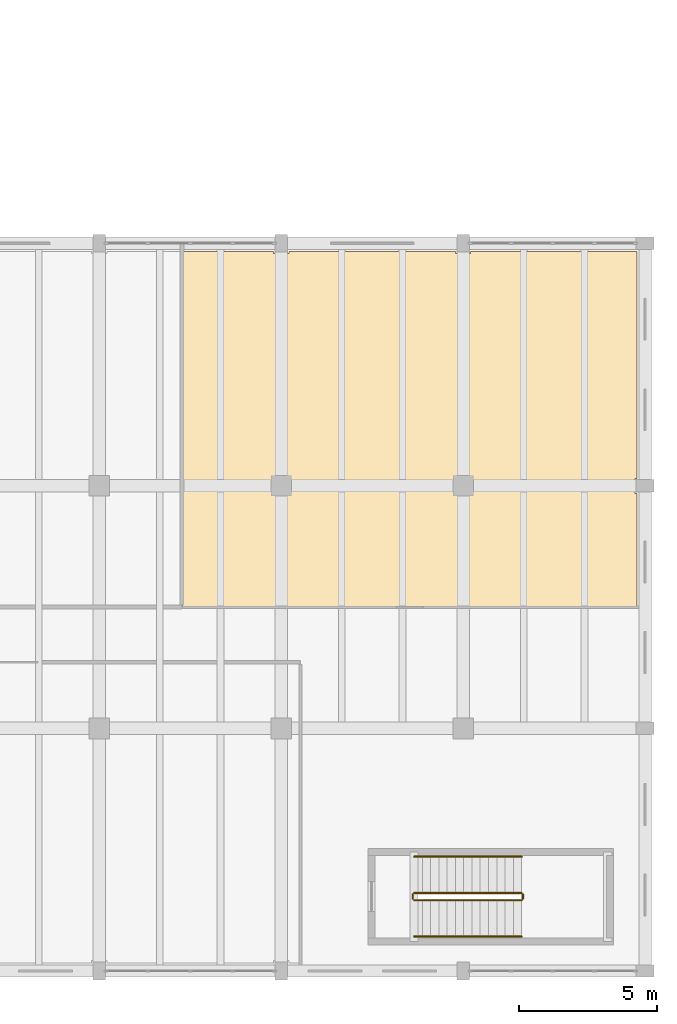
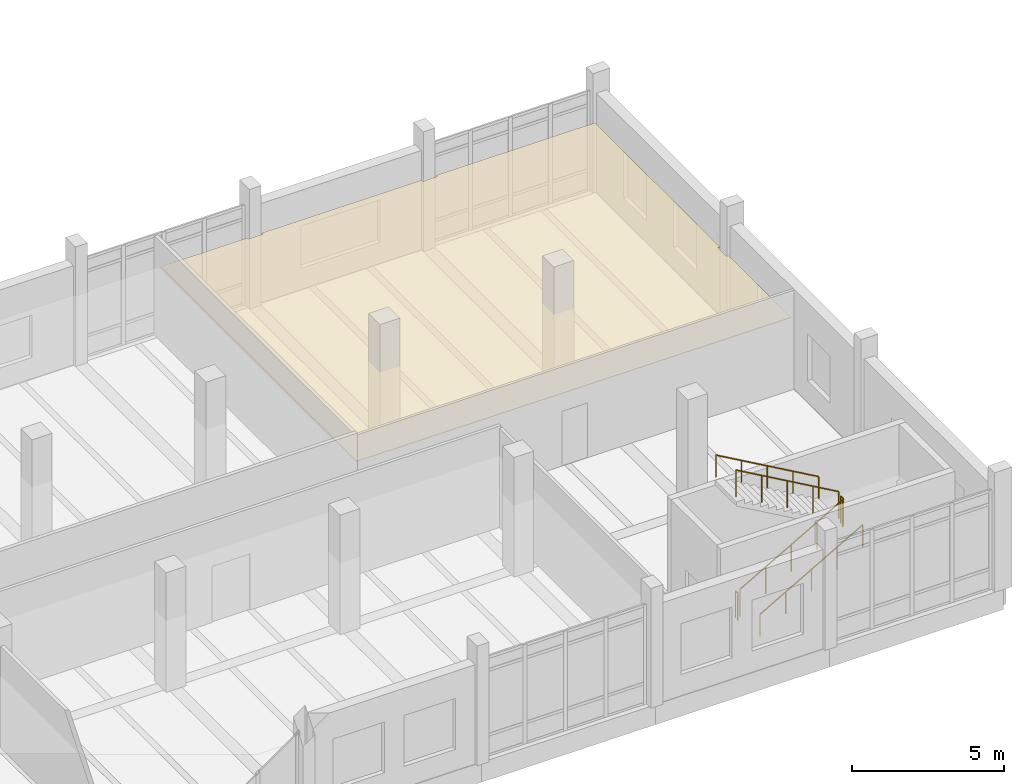
# One storey, part 115 of 125: 6 railings, 1 covering.
"""IFC4 building model written with IfcOpenShell, lengths in metres."""

from ifc_helpers import new_model, si_unit, direction, frame, origin, origin_2d, place, context, subcontext, project, spatial, polyline, circle, outline, extrude, material, layer, layer_set, type_object, element, save


model = new_model("IFC4")

# Units and contexts
model_context = context("Model", 3, precision=1e-05, world=origin(), true_north=direction((0.0, 1.0)))
body_context = subcontext(model_context, "Body", "Model", "MODEL_VIEW")
ifc_project = project(units=[si_unit("LENGTHUNIT", "METRE"), si_unit("AREAUNIT", "SQUARE_METRE"), si_unit("VOLUMEUNIT", "CUBIC_METRE"), si_unit("PLANEANGLEUNIT", "RADIAN"), si_unit("MASSUNIT", "GRAM", prefix="KILO")], contexts=[model_context])

# Site, building, storey
site_placement = place(None, origin())
site = spatial("IfcSite", under=ifc_project, at=site_placement, CompositionType="ELEMENT")
building_placement = place(site_placement, origin())
building = spatial("IfcBuilding", under=site, at=building_placement, Name="Dornvale Research Institute", CompositionType="ELEMENT")
storey_placement = place(building_placement, frame((0.0, 0.0, 5.39990234375)))
storey = spatial("IfcBuildingStorey", under=building, at=storey_placement, Name="L01", CompositionType="ELEMENT", Elevation=5.39990234375)

# Covering
ifc_material_1 = material(Name="Mineral-Fibre Acoustic Lay-In Ceiling Tile System")
ifc_layer_1 = layer(ifc_material_1, 0.02001953125)
ifc_layer_set_1 = layer_set([ifc_layer_1], Name="Mineral-Fibre Acoustic Lay-In Ceiling Tile System")
covering_type = type_object("IfcCoveringType", Name="Covering_Acoustic_Ceiling", PredefinedType="CEILING", material=ifc_layer_set_1)
covering_placement = place(storey_placement, frame((0.0, 0.0, 2.85009765625)))
element("IfcCovering", 1, at=covering_placement, inside=storey, type_object=covering_type, Name="L01 Cleanroom Process Engineering Office L01 suspended ceiling", PredefinedType="CEILING", context=body_context, shape_type="SweptSolid", body=[
    extrude(outline(polyline([(164.72509765625, 26.10009765625), (164.72509765625, 26.02490234375), (165.27490234375, 26.02490234375), (165.27490234375, 26.10009765625), (171.324951171875, 26.10009765625), (171.324951171875, 26.02490234375), (171.875, 26.02490234375), (171.875, 26.10009765625), (177.89990234375, 26.10009765625), (177.89990234375, 17.875), (177.824951171875, 17.875), (177.824951171875, 17.324951171875), (177.89990234375, 17.324951171875), (177.89990234375, 13.219970703125), (161.419921875, 13.219970703125), (161.419921875, 26.10009765625), (164.72509765625, 26.10009765625)])), origin(), (0.0, 0.0, 1.0), 0.02001953125),
])

# Railings
ifc_material_2 = material(Name="Galvanized Painted Tubular Steel Stair Rail", Category="steel")
ifc_layer_2 = layer(ifc_material_2, 0.050048828125)
ifc_layer_set_2 = layer_set([ifc_layer_2], Name="Galvanized Painted Tubular Steel Stair Rail")
railing_type_1 = type_object("IfcRailingType", Name="Railing_Stair_Guard_1100", PredefinedType="GUARDRAIL", material=ifc_layer_set_2)
railing_1_placement = place(storey_placement, frame((169.820068359375, 2.570068359375, 0.171630859375)))
element("IfcRailing", 2, at=railing_1_placement, inside=storey, type_object=railing_type_1, Name="L01 ST-6 stair guard 1", PredefinedType="GUARDRAIL", context=body_context, shape_type="SweptSolid", body=[
    extrude(circle(Radius=0.02392578125, at=origin_2d()), frame((0.0, 0.0, 1.076171875), z_axis=(0.868243142124, 0.0, 0.496138938357), x_axis=(0.0, 1.0, 0.0)), (0.0, 0.0, 1.0), 4.49169921875),
    extrude(circle(Radius=0.02099609375, at=origin_2d()), origin(), (0.0, 0.0, 1.0), 1.052001953125),
    extrude(circle(Radius=0.02099609375, at=origin_2d()), frame((0.97509765625, 0.0, 0.55712890625)), (0.0, 0.0, 1.0), 1.052001953125),
    extrude(circle(Radius=0.02099609375, at=origin_2d()), frame((1.949951171875, 0.0, 1.1142578125)), (0.0, 0.0, 1.0), 1.052001953125),
    extrude(circle(Radius=0.02099609375, at=origin_2d()), frame((2.9248046875, 0.0, 1.67138671875)), (0.0, 0.0, 1.0), 1.052001953125),
    extrude(circle(Radius=0.02099609375, at=origin_2d()), frame((3.89990234375, 0.0, 2.228515625)), (0.0, 0.0, 1.0), 1.052001953125),
])
railing_2_placement = place(storey_placement, frame((173.77001953125, 2.6201171875, 2.400146484375)))
element("IfcRailing", 3, at=railing_2_placement, inside=storey, type_object=railing_type_1, Name="L01 ST-6 stair guard 2", PredefinedType="GUARDRAIL", context=body_context, shape_type="SweptSolid", body=[
    extrude(circle(Radius=0.02392578125, at=origin_2d()), frame((0.0, 0.0, 1.076171875), z_axis=(0.0, 1.0, 0.0), x_axis=(-1.0, 0.0, 0.0)), (0.0, 0.0, 1.0), 0.159912109375),
    extrude(circle(Radius=0.02099609375, at=origin_2d()), origin(), (0.0, 0.0, 1.0), 1.052001953125),
    extrude(circle(Radius=0.02099609375, at=origin_2d()), frame((0.0, 0.159912109375, 0.0)), (0.0, 0.0, 1.0), 1.052001953125),
])
railing_3_placement = place(storey_placement, frame((173.719970703125, 2.830078125, 2.571533203125)))
element("IfcRailing", 4, at=railing_3_placement, inside=storey, type_object=railing_type_1, Name="L01 ST-6 stair guard 3", PredefinedType="GUARDRAIL", context=body_context, shape_type="SweptSolid", body=[
    extrude(circle(Radius=0.02392578125, at=origin_2d()), frame((0.0, 0.0, 1.076171875), z_axis=(-0.868243142124, 0.0, 0.496138938357), x_axis=(0.0, -1.0, 0.0)), (0.0, 0.0, 1.0), 4.49169921875),
    extrude(circle(Radius=0.02099609375, at=origin_2d()), origin(), (0.0, 0.0, 1.0), 1.052001953125),
    extrude(circle(Radius=0.02099609375, at=origin_2d()), frame((-0.97509765625, 0.0, 0.55712890625)), (0.0, 0.0, 1.0), 1.052001953125),
    extrude(circle(Radius=0.02099609375, at=origin_2d()), frame((-1.949951171875, 0.0, 1.1142578125)), (0.0, 0.0, 1.0), 1.052001953125),
    extrude(circle(Radius=0.02099609375, at=origin_2d()), frame((-2.9248046875, 0.0, 1.67138671875)), (0.0, 0.0, 1.0), 1.052001953125),
    extrude(circle(Radius=0.02099609375, at=origin_2d()), frame((-3.89990234375, 0.0, 2.228515625)), (0.0, 0.0, 1.0), 1.052001953125),
])
railing_4_placement = place(storey_placement, frame((169.77001953125, 2.6201171875, 0.0)))
element("IfcRailing", 5, at=railing_4_placement, inside=storey, type_object=railing_type_1, Name="L01 ST-6 stair guard 4", PredefinedType="GUARDRAIL", context=body_context, shape_type="SweptSolid", body=[
    extrude(circle(Radius=0.02392578125, at=origin_2d()), frame((0.0, 0.0, 1.076171875), z_axis=(0.0, 1.0, 0.0), x_axis=(-1.0, 0.0, 0.0)), (0.0, 0.0, 1.0), 0.159912109375),
    extrude(circle(Radius=0.02099609375, at=origin_2d()), origin(), (0.0, 0.0, 1.0), 1.052001953125),
    extrude(circle(Radius=0.02099609375, at=origin_2d()), frame((0.0, 0.159912109375, 0.0)), (0.0, 0.0, 1.0), 1.052001953125),
])
ifc_material_3 = material(Name="Galvanized Painted Tubular Steel Stair Rail", Category="steel")
ifc_layer_3 = layer(ifc_material_3, 0.044921875)
ifc_layer_set_3 = layer_set([ifc_layer_3], Name="Galvanized Painted Tubular Steel Stair Rail")
railing_type_2 = type_object("IfcRailingType", Name="Railing_Stair_Handrail_900", PredefinedType="HANDRAIL", material=ifc_layer_set_3)
railing_5_placement = place(storey_placement, frame((169.820068359375, 1.25, 0.171630859375)))
element("IfcRailing", 6, at=railing_5_placement, inside=storey, type_object=railing_type_2, Name="L01 ST-6 stair handrail 1", PredefinedType="HANDRAIL", context=body_context, shape_type="SweptSolid", body=[
    extrude(circle(Radius=0.02392578125, at=origin_2d()), frame((0.0, 0.0, 0.8759765625), z_axis=(0.868243142124, 0.0, 0.496138938357), x_axis=(0.0, 1.0, 0.0)), (0.0, 0.0, 1.0), 4.49169921875),
    extrude(circle(Radius=0.02099609375, at=origin_2d()), origin(), (0.0, 0.0, 1.0), 0.851806640625),
    extrude(circle(Radius=0.02099609375, at=origin_2d()), frame((0.97509765625, 0.0, 0.55712890625)), (0.0, 0.0, 1.0), 0.851806640625),
    extrude(circle(Radius=0.02099609375, at=origin_2d()), frame((1.949951171875, 0.0, 1.1142578125)), (0.0, 0.0, 1.0), 0.851806640625),
    extrude(circle(Radius=0.02099609375, at=origin_2d()), frame((2.9248046875, 0.0, 1.67138671875)), (0.0, 0.0, 1.0), 0.851806640625),
    extrude(circle(Radius=0.02099609375, at=origin_2d()), frame((3.89990234375, 0.0, 2.228515625)), (0.0, 0.0, 1.0), 0.851806640625),
])
railing_6_placement = place(storey_placement, frame((173.719970703125, 4.14990234375, 2.571533203125)))
element("IfcRailing", 7, at=railing_6_placement, inside=storey, type_object=railing_type_2, Name="L01 ST-6 stair handrail 2", PredefinedType="HANDRAIL", context=body_context, shape_type="SweptSolid", body=[
    extrude(circle(Radius=0.02392578125, at=origin_2d()), frame((0.0, 0.0, 0.8759765625), z_axis=(-0.868243142124, 0.0, 0.496138938357), x_axis=(0.0, -1.0, 0.0)), (0.0, 0.0, 1.0), 4.49169921875),
    extrude(circle(Radius=0.02099609375, at=origin_2d()), origin(), (0.0, 0.0, 1.0), 0.851806640625),
    extrude(circle(Radius=0.02099609375, at=origin_2d()), frame((-0.97509765625, 0.0, 0.55712890625)), (0.0, 0.0, 1.0), 0.851806640625),
    extrude(circle(Radius=0.02099609375, at=origin_2d()), frame((-1.949951171875, 0.0, 1.1142578125)), (0.0, 0.0, 1.0), 0.851806640625),
    extrude(circle(Radius=0.02099609375, at=origin_2d()), frame((-2.9248046875, 0.0, 1.67138671875)), (0.0, 0.0, 1.0), 0.851806640625),
    extrude(circle(Radius=0.02099609375, at=origin_2d()), frame((-3.89990234375, 0.0, 2.228515625)), (0.0, 0.0, 1.0), 0.851806640625),
])

save(model, "model.ifc")
